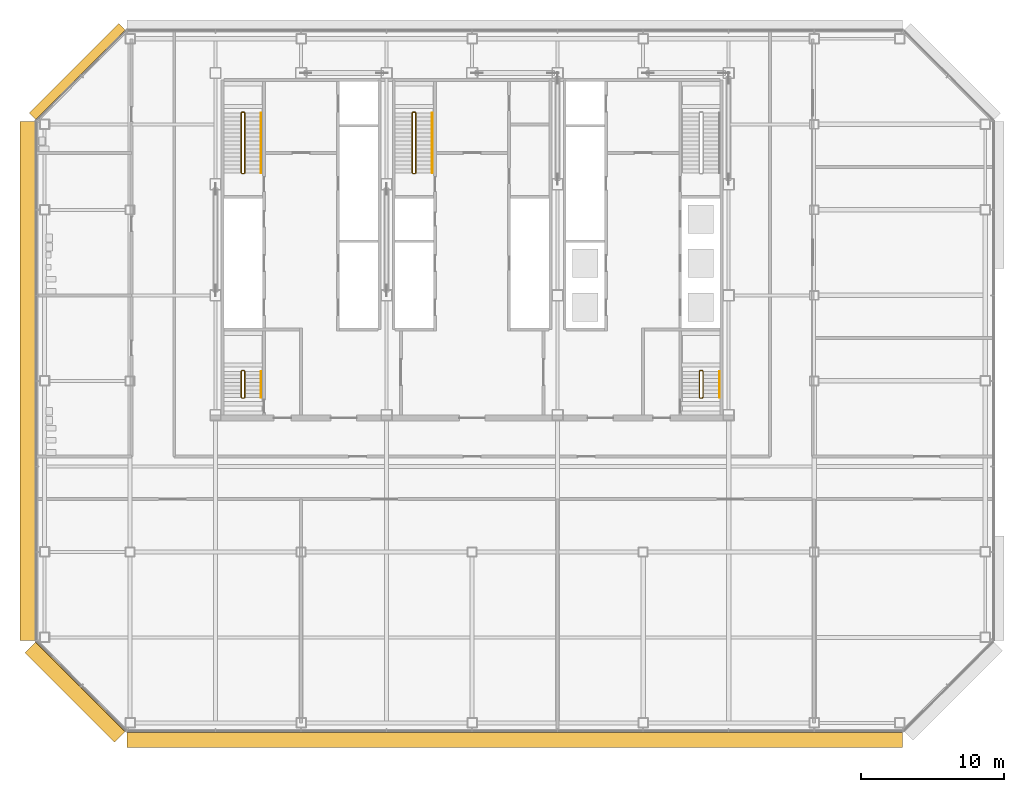
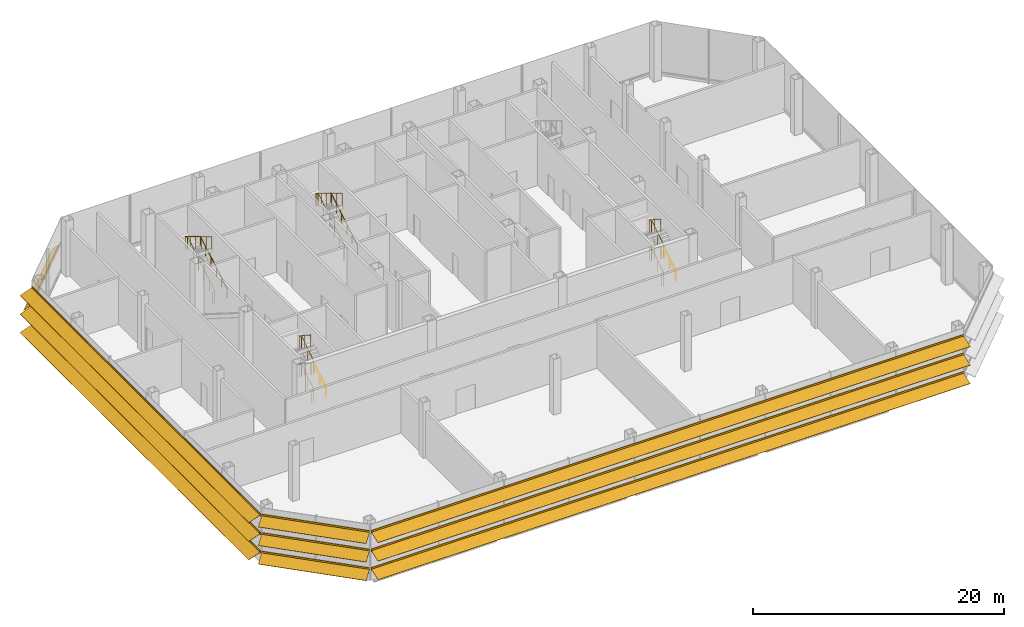
# One storey, part 21 of 24: 10 railings, 4 shading devices.
"""IFC4 building model written with IfcOpenShell, lengths in metres."""

from ifc_helpers import new_model, si_unit, direction, frame, origin, origin_2d, place, context, subcontext, project, spatial, polyline, circle, outline, composite_profile, extrude, material, type_object, element, save


model = new_model("IFC4")

# Units and contexts
model_context = context("Model", 3, precision=1e-05, world=origin(), true_north=direction((0.0, 1.0)))
body_context = subcontext(model_context, "Body", "Model", "MODEL_VIEW")
ifc_project = project(units=[si_unit("LENGTHUNIT", "METRE"), si_unit("AREAUNIT", "SQUARE_METRE"), si_unit("VOLUMEUNIT", "CUBIC_METRE"), si_unit("PLANEANGLEUNIT", "RADIAN"), si_unit("MASSUNIT", "GRAM", prefix="KILO")], contexts=[model_context])

# Site, building, storey
site_placement = place(None, origin())
site = spatial("IfcSite", under=ifc_project, at=site_placement, CompositionType="ELEMENT")
building_placement = place(site_placement, origin())
building = spatial("IfcBuilding", under=site, at=building_placement, Name="Sorahane Residences", CompositionType="ELEMENT")
storey_placement = place(building_placement, frame((0.0, 0.0, 161.800048828125)))
storey = spatial("IfcBuildingStorey", under=building, at=storey_placement, Name="L37", CompositionType="ELEMENT", Elevation=161.800048828125)

# Shading devices
ifc_material_1 = material(Name="Terracotta anodised aluminium", Category="masonry")
shading_device_type_1 = type_object("IfcShadingDeviceType", Name="Louvre sunshade blade NW terracotta aluminium 700", PredefinedType="JALOUSIE", material=ifc_material_1)
shading_device_1_placement = place(storey_placement, frame((-0.283935546875, 48.564697265625, 2.699951171875), z_axis=(-0.707106781187, -0.707106781187, 0.0), x_axis=(0.707106781187, -0.707106781187, 0.0)))
element("IfcShadingDevice", 1, at=shading_device_1_placement, inside=storey, type_object=shading_device_type_1, Name="Louvre sunshade blade bank NW L37 NW1", PredefinedType="JALOUSIE", context=body_context, shape_type="SweptSolid", body=[
    extrude(outline(polyline([(-0.719970703125, -0.660888671875), (-0.719970703125, -0.69091796875), (-0.080078125, -0.072998046875), (-0.080078125, -0.14990234375), (-0.02001953125, -0.14990234375), (-0.02001953125, -0.014892578125), (-0.02001953125, 0.014892578125), (-0.02001953125, 0.14990234375), (-0.080078125, 0.14990234375), (-0.080078125, -0.04296875), (-0.719970703125, -0.660888671875)])), origin(), (0.0, 0.0, 1.0), 8.88232421875),
])
ifc_material_2 = material(Name="Terracotta anodised aluminium", Category="masonry")
shading_device_type_2 = type_object("IfcShadingDeviceType", Name="Louvre sunshade blade S terracotta aluminium 1100", PredefinedType="JALOUSIE", material=ifc_material_2)
shading_device_2_placement = place(storey_placement, frame((-0.198486328125, -0.60009765625, 0.89990234375), z_axis=(1.0, 0.0, 0.0), x_axis=(0.0, 1.0, 0.0)))
element("IfcShadingDevice", 2, at=shading_device_2_placement, inside=storey, type_object=shading_device_type_2, Name="Louvre sunshade blade bank S L37 S1", PredefinedType="JALOUSIE", context=body_context, shape_type="SweptSolid", body=[
    extrude(composite_profile([outline(polyline([(-1.1201171875, -0.385498046875), (-1.1201171875, -0.415283203125), (-0.080078125, -0.036865234375), (-0.080078125, -0.14990234375), (-0.02001953125, -0.14990234375), (-0.02001953125, -0.014892578125), (-0.02001953125, 0.014892578125), (-0.02001953125, 0.14990234375), (-0.080078125, 0.14990234375), (-0.080078125, -0.0068359375), (-1.1201171875, -0.385498046875)])), outline(polyline([(-1.1201171875, 1.41455078125), (-1.1201171875, 1.384521484375), (-0.080078125, 1.76318359375), (-0.080078125, 1.64990234375), (-0.02001953125, 1.64990234375), (-0.02001953125, 1.784912109375), (-0.02001953125, 1.81494140625), (-0.02001953125, 1.949951171875), (-0.080078125, 1.949951171875), (-0.080078125, 1.793212890625), (-1.1201171875, 1.41455078125)])), outline(polyline([(-1.1201171875, 3.214599609375), (-1.1201171875, 3.1845703125), (-0.080078125, 3.563232421875), (-0.080078125, 3.449951171875), (-0.02001953125, 3.449951171875), (-0.02001953125, 3.5849609375), (-0.02001953125, 3.614990234375), (-0.02001953125, 3.75), (-0.080078125, 3.75), (-0.080078125, 3.59326171875), (-1.1201171875, 3.214599609375)]))]), origin(), (0.0, 0.0, 1.0), 54.39697265625),
])
ifc_material_3 = material(Name="Terracotta anodised aluminium", Category="masonry")
shading_device_type_3 = type_object("IfcShadingDeviceType", Name="Louvre sunshade blade SW terracotta aluminium 1100", PredefinedType="JALOUSIE", material=ifc_material_3)
shading_device_3_placement = place(storey_placement, frame((-6.564697265625, 5.716064453125, 0.89990234375), z_axis=(0.707106781187, -0.707106781187, 0.0), x_axis=(0.707106781187, 0.707106781187, 0.0)))
element("IfcShadingDevice", 3, at=shading_device_3_placement, inside=storey, type_object=shading_device_type_3, Name="Louvre sunshade blade bank SW L37 SW1", PredefinedType="JALOUSIE", context=body_context, shape_type="SweptSolid", body=[
    extrude(composite_profile([outline(polyline([(-1.1201171875, -0.385498046875), (-1.1201171875, -0.415283203125), (-0.080078125, -0.036865234375), (-0.080078125, -0.14990234375), (-0.02001953125, -0.14990234375), (-0.02001953125, -0.014892578125), (-0.02001953125, 0.014892578125), (-0.02001953125, 0.14990234375), (-0.080078125, 0.14990234375), (-0.080078125, -0.0068359375), (-1.1201171875, -0.385498046875)])), outline(polyline([(-1.1201171875, 1.41455078125), (-1.1201171875, 1.384521484375), (-0.080078125, 1.76318359375), (-0.080078125, 1.64990234375), (-0.02001953125, 1.64990234375), (-0.02001953125, 1.784912109375), (-0.02001953125, 1.81494140625), (-0.02001953125, 1.949951171875), (-0.080078125, 1.949951171875), (-0.080078125, 1.793212890625), (-1.1201171875, 1.41455078125)])), outline(polyline([(-1.1201171875, 3.214599609375), (-1.1201171875, 3.1845703125), (-0.080078125, 3.563232421875), (-0.080078125, 3.449951171875), (-0.02001953125, 3.449951171875), (-0.02001953125, 3.5849609375), (-0.02001953125, 3.614990234375), (-0.02001953125, 3.75), (-0.080078125, 3.75), (-0.080078125, 3.59326171875), (-1.1201171875, 3.214599609375)]))]), origin(), (0.0, 0.0, 1.0), 8.88232421875),
])
ifc_material_4 = material(Name="Terracotta anodised aluminium", Category="masonry")
shading_device_type_4 = type_object("IfcShadingDeviceType", Name="Louvre sunshade blade W terracotta aluminium 1100", PredefinedType="JALOUSIE", material=ifc_material_4)
shading_device_4_placement = place(storey_placement, frame((-6.60009765625, 42.198486328125, 0.89990234375), z_axis=(0.0, -1.0, 0.0), x_axis=(1.0, 0.0, 0.0)))
element("IfcShadingDevice", 4, at=shading_device_4_placement, inside=storey, type_object=shading_device_type_4, Name="Louvre sunshade blade bank W L37 W1", PredefinedType="JALOUSIE", context=body_context, shape_type="SweptSolid", body=[
    extrude(composite_profile([outline(polyline([(-1.1201171875, -0.385498046875), (-1.1201171875, -0.415283203125), (-0.080078125, -0.036865234375), (-0.080078125, -0.14990234375), (-0.02001953125, -0.14990234375), (-0.02001953125, -0.014892578125), (-0.02001953125, 0.014892578125), (-0.02001953125, 0.14990234375), (-0.080078125, 0.14990234375), (-0.080078125, -0.0068359375), (-1.1201171875, -0.385498046875)])), outline(polyline([(-1.1201171875, 1.41455078125), (-1.1201171875, 1.384521484375), (-0.080078125, 1.76318359375), (-0.080078125, 1.64990234375), (-0.02001953125, 1.64990234375), (-0.02001953125, 1.784912109375), (-0.02001953125, 1.81494140625), (-0.02001953125, 1.949951171875), (-0.080078125, 1.949951171875), (-0.080078125, 1.793212890625), (-1.1201171875, 1.41455078125)])), outline(polyline([(-1.1201171875, 3.214599609375), (-1.1201171875, 3.1845703125), (-0.080078125, 3.563232421875), (-0.080078125, 3.449951171875), (-0.02001953125, 3.449951171875), (-0.02001953125, 3.5849609375), (-0.02001953125, 3.614990234375), (-0.02001953125, 3.75), (-0.080078125, 3.75), (-0.080078125, 3.59326171875), (-1.1201171875, 3.214599609375)]))]), origin(), (0.0, 0.0, 1.0), 36.39697265625),
])

# Railings
ifc_material_5 = material(Name="Steel Q355B", Category="steel")
railing_type_1 = type_object("IfcRailingType", Name="Stair guard 1200 Steel Q355B", PredefinedType="GUARDRAIL", material=ifc_material_5)
railing_1_placement = place(storey_placement, frame((7.85009765625, 38.550048828125, 0.0)))
element("IfcRailing", 5, at=railing_1_placement, inside=storey, type_object=railing_type_1, Name="L37 S1 stair guard 1", PredefinedType="GUARDRAIL", context=body_context, shape_type="SweptSolid", body=[
    extrude(circle(Radius=0.02392578125, at=origin_2d()), frame((0.0, 0.0, 1.17578125), z_axis=(1.0, 0.0, 0.0), x_axis=(0.0, 1.0, 0.0)), (0.0, 0.0, 1.0), 0.14990234375),
    extrude(circle(Radius=0.02392578125, at=origin_2d()), frame((0.14990234375, 0.0, 1.17578125), z_axis=(0.273569069059, 0.273569069059, 0.922127935218), x_axis=(-0.707106781187, 0.707106781187, 0.0)), (0.0, 0.0, 1.0), 0.182861328125),
    extrude(circle(Radius=0.02392578125, at=origin_2d()), frame((0.199951171875, 0.050048828125, 1.3447265625), z_axis=(0.0, 0.856476492594, 0.516186030065), x_axis=(-1.0, 0.0, 0.0)), (0.0, 0.0, 1.0), 4.90380859375),
    extrude(circle(Radius=0.02392578125, at=origin_2d()), frame((0.199951171875, 4.25, 3.8759765625), z_axis=(-0.707106781187, 0.707106781187, 0.0), x_axis=(-0.707106781187, -0.707106781187, 0.0)), (0.0, 0.0, 1.0), 0.07080078125),
    extrude(circle(Radius=0.02392578125, at=origin_2d()), frame((0.14990234375, 4.300048828125, 3.8759765625), z_axis=(-1.0, 0.0, 0.0), x_axis=(0.0, -1.0, 0.0)), (0.0, 0.0, 1.0), 0.14990234375),
    extrude(circle(Radius=0.02392578125, at=origin_2d()), frame((0.0, 4.300048828125, 3.8759765625), z_axis=(-0.273569069059, -0.273569069059, 0.922127935218), x_axis=(0.707106781187, -0.707106781187, 0.0)), (0.0, 0.0, 1.0), 0.182861328125),
    extrude(circle(Radius=0.02392578125, at=origin_2d()), frame((-0.050048828125, 4.25, 4.04443359375), z_axis=(0.0, -0.856476492594, 0.516186030065), x_axis=(1.0, 0.0, 0.0)), (0.0, 0.0, 1.0), 4.90380859375),
    extrude(circle(Radius=0.02099609375, at=origin_2d()), origin(), (0.0, 0.0, 1.0), 1.15185546875),
    extrude(circle(Radius=0.02099609375, at=origin_2d()), frame((0.14990234375, 0.0, 0.0)), (0.0, 0.0, 1.0), 1.15185546875),
    extrude(circle(Radius=0.02099609375, at=origin_2d()), frame((0.199951171875, 0.050048828125, 0.168701171875)), (0.0, 0.0, 1.0), 1.15185546875),
    extrude(circle(Radius=0.02099609375, at=origin_2d()), frame((0.199951171875, 0.89013671875, 0.675048828125)), (0.0, 0.0, 1.0), 1.15185546875),
    extrude(circle(Radius=0.02099609375, at=origin_2d()), frame((0.199951171875, 1.72998046875, 1.18115234375)), (0.0, 0.0, 1.0), 1.15185546875),
    extrude(circle(Radius=0.02099609375, at=origin_2d()), frame((0.199951171875, 2.570068359375, 1.6875)), (0.0, 0.0, 1.0), 1.15185546875),
    extrude(circle(Radius=0.02099609375, at=origin_2d()), frame((0.199951171875, 3.409912109375, 2.193603515625)), (0.0, 0.0, 1.0), 1.15185546875),
    extrude(circle(Radius=0.02099609375, at=origin_2d()), frame((0.199951171875, 4.25, 2.699951171875)), (0.0, 0.0, 1.0), 1.15185546875),
    extrude(circle(Radius=0.02099609375, at=origin_2d()), frame((0.14990234375, 4.300048828125, 2.699951171875)), (0.0, 0.0, 1.0), 1.15185546875),
    extrude(circle(Radius=0.02099609375, at=origin_2d()), frame((0.0, 4.300048828125, 2.699951171875)), (0.0, 0.0, 1.0), 1.15185546875),
    extrude(circle(Radius=0.02099609375, at=origin_2d()), frame((-0.050048828125, 4.25, 2.86865234375)), (0.0, 0.0, 1.0), 1.15185546875),
    extrude(circle(Radius=0.02099609375, at=origin_2d()), frame((-0.050048828125, 3.409912109375, 3.375)), (0.0, 0.0, 1.0), 1.15185546875),
    extrude(circle(Radius=0.02099609375, at=origin_2d()), frame((-0.050048828125, 2.570068359375, 3.881103515625)), (0.0, 0.0, 1.0), 1.15185546875),
    extrude(circle(Radius=0.02099609375, at=origin_2d()), frame((-0.050048828125, 1.72998046875, 4.387451171875)), (0.0, 0.0, 1.0), 1.15185546875),
    extrude(circle(Radius=0.02099609375, at=origin_2d()), frame((-0.050048828125, 0.89013671875, 4.8935546875)), (0.0, 0.0, 1.0), 1.15185546875),
    extrude(circle(Radius=0.02099609375, at=origin_2d()), frame((-0.050048828125, 0.050048828125, 5.39990234375)), (0.0, 0.0, 1.0), 1.15185546875),
])
railing_2_placement = place(storey_placement, frame((19.85009765625, 38.550048828125, 0.0)))
element("IfcRailing", 6, at=railing_2_placement, inside=storey, type_object=railing_type_1, Name="L37 S3 stair guard 1", PredefinedType="GUARDRAIL", context=body_context, shape_type="SweptSolid", body=[
    extrude(circle(Radius=0.02392578125, at=origin_2d()), frame((0.0, 0.0, 1.17578125), z_axis=(1.0, 0.0, 0.0), x_axis=(0.0, 1.0, 0.0)), (0.0, 0.0, 1.0), 0.14990234375),
    extrude(circle(Radius=0.02392578125, at=origin_2d()), frame((0.14990234375, 0.0, 1.17578125), z_axis=(0.273569069059, 0.273569069059, 0.922127935218), x_axis=(-0.707106781187, 0.707106781187, 0.0)), (0.0, 0.0, 1.0), 0.182861328125),
    extrude(circle(Radius=0.02392578125, at=origin_2d()), frame((0.199951171875, 0.050048828125, 1.3447265625), z_axis=(0.0, 0.856476492594, 0.516186030065), x_axis=(-1.0, 0.0, 0.0)), (0.0, 0.0, 1.0), 4.90380859375),
    extrude(circle(Radius=0.02392578125, at=origin_2d()), frame((0.199951171875, 4.25, 3.8759765625), z_axis=(-0.707106781187, 0.707106781187, 0.0), x_axis=(-0.707106781187, -0.707106781187, 0.0)), (0.0, 0.0, 1.0), 0.07080078125),
    extrude(circle(Radius=0.02392578125, at=origin_2d()), frame((0.14990234375, 4.300048828125, 3.8759765625), z_axis=(-1.0, 0.0, 0.0), x_axis=(0.0, -1.0, 0.0)), (0.0, 0.0, 1.0), 0.14990234375),
    extrude(circle(Radius=0.02392578125, at=origin_2d()), frame((0.0, 4.300048828125, 3.8759765625), z_axis=(-0.273569069059, -0.273569069059, 0.922127935218), x_axis=(0.707106781187, -0.707106781187, 0.0)), (0.0, 0.0, 1.0), 0.182861328125),
    extrude(circle(Radius=0.02392578125, at=origin_2d()), frame((-0.050048828125, 4.25, 4.04443359375), z_axis=(0.0, -0.856476492594, 0.516186030065), x_axis=(1.0, 0.0, 0.0)), (0.0, 0.0, 1.0), 4.90380859375),
    extrude(circle(Radius=0.02099609375, at=origin_2d()), origin(), (0.0, 0.0, 1.0), 1.15185546875),
    extrude(circle(Radius=0.02099609375, at=origin_2d()), frame((0.14990234375, 0.0, 0.0)), (0.0, 0.0, 1.0), 1.15185546875),
    extrude(circle(Radius=0.02099609375, at=origin_2d()), frame((0.199951171875, 0.050048828125, 0.168701171875)), (0.0, 0.0, 1.0), 1.15185546875),
    extrude(circle(Radius=0.02099609375, at=origin_2d()), frame((0.199951171875, 0.89013671875, 0.675048828125)), (0.0, 0.0, 1.0), 1.15185546875),
    extrude(circle(Radius=0.02099609375, at=origin_2d()), frame((0.199951171875, 1.72998046875, 1.18115234375)), (0.0, 0.0, 1.0), 1.15185546875),
    extrude(circle(Radius=0.02099609375, at=origin_2d()), frame((0.199951171875, 2.570068359375, 1.6875)), (0.0, 0.0, 1.0), 1.15185546875),
    extrude(circle(Radius=0.02099609375, at=origin_2d()), frame((0.199951171875, 3.409912109375, 2.193603515625)), (0.0, 0.0, 1.0), 1.15185546875),
    extrude(circle(Radius=0.02099609375, at=origin_2d()), frame((0.199951171875, 4.25, 2.699951171875)), (0.0, 0.0, 1.0), 1.15185546875),
    extrude(circle(Radius=0.02099609375, at=origin_2d()), frame((0.14990234375, 4.300048828125, 2.699951171875)), (0.0, 0.0, 1.0), 1.15185546875),
    extrude(circle(Radius=0.02099609375, at=origin_2d()), frame((0.0, 4.300048828125, 2.699951171875)), (0.0, 0.0, 1.0), 1.15185546875),
    extrude(circle(Radius=0.02099609375, at=origin_2d()), frame((-0.050048828125, 4.25, 2.86865234375)), (0.0, 0.0, 1.0), 1.15185546875),
    extrude(circle(Radius=0.02099609375, at=origin_2d()), frame((-0.050048828125, 3.409912109375, 3.375)), (0.0, 0.0, 1.0), 1.15185546875),
    extrude(circle(Radius=0.02099609375, at=origin_2d()), frame((-0.050048828125, 2.570068359375, 3.881103515625)), (0.0, 0.0, 1.0), 1.15185546875),
    extrude(circle(Radius=0.02099609375, at=origin_2d()), frame((-0.050048828125, 1.72998046875, 4.387451171875)), (0.0, 0.0, 1.0), 1.15185546875),
    extrude(circle(Radius=0.02099609375, at=origin_2d()), frame((-0.050048828125, 0.89013671875, 4.8935546875)), (0.0, 0.0, 1.0), 1.15185546875),
    extrude(circle(Radius=0.02099609375, at=origin_2d()), frame((-0.050048828125, 0.050048828125, 5.39990234375)), (0.0, 0.0, 1.0), 1.15185546875),
])
railing_3_placement = place(storey_placement, frame((7.85009765625, 22.800048828125, 0.0)))
element("IfcRailing", 7, at=railing_3_placement, inside=storey, type_object=railing_type_1, Name="L37 S4 stair guard 1", PredefinedType="GUARDRAIL", context=body_context, shape_type="SweptSolid", body=[
    extrude(circle(Radius=0.02392578125, at=origin_2d()), frame((0.0, 0.0, 1.17578125), z_axis=(1.0, 0.0, 0.0), x_axis=(0.0, 1.0, 0.0)), (0.0, 0.0, 1.0), 0.14990234375),
    extrude(circle(Radius=0.02392578125, at=origin_2d()), frame((0.14990234375, 0.0, 1.17578125), z_axis=(0.273569069059, 0.273569069059, 0.922127935218), x_axis=(-0.707106781187, 0.707106781187, 0.0)), (0.0, 0.0, 1.0), 0.182861328125),
    extrude(circle(Radius=0.02392578125, at=origin_2d()), frame((0.199951171875, 0.050048828125, 1.3447265625), z_axis=(0.0, 0.838808512231, 0.544426560528), x_axis=(-1.0, 0.0, 0.0)), (0.0, 0.0, 1.0), 2.16943359375),
    extrude(circle(Radius=0.02392578125, at=origin_2d()), frame((0.199951171875, 1.869873046875, 2.52587890625), z_axis=(-0.707106781187, 0.707106781187, 0.0), x_axis=(-0.707106781187, -0.707106781187, 0.0)), (0.0, 0.0, 1.0), 0.07080078125),
    extrude(circle(Radius=0.02392578125, at=origin_2d()), frame((0.14990234375, 1.919921875, 2.52587890625), z_axis=(-1.0, 0.0, 0.0), x_axis=(0.0, -1.0, 0.0)), (0.0, 0.0, 1.0), 0.14990234375),
    extrude(circle(Radius=0.02392578125, at=origin_2d()), frame((0.0, 1.919921875, 2.52587890625), z_axis=(-0.273232802156, -0.273232802156, 0.922327312645), x_axis=(0.707106781187, -0.707106781187, 0.0)), (0.0, 0.0, 1.0), 0.18310546875),
    extrude(circle(Radius=0.02392578125, at=origin_2d()), frame((-0.050048828125, 1.869873046875, 2.69482421875), z_axis=(0.0, -0.838808512231, 0.544426560528), x_axis=(1.0, 0.0, 0.0)), (0.0, 0.0, 1.0), 2.16943359375),
    extrude(circle(Radius=0.02099609375, at=origin_2d()), origin(), (0.0, 0.0, 1.0), 1.15185546875),
    extrude(circle(Radius=0.02099609375, at=origin_2d()), frame((0.14990234375, 0.0, 0.0)), (0.0, 0.0, 1.0), 1.15185546875),
    extrude(circle(Radius=0.02099609375, at=origin_2d()), frame((0.199951171875, 0.050048828125, 0.168701171875)), (0.0, 0.0, 1.0), 1.15185546875),
    extrude(circle(Radius=0.02099609375, at=origin_2d()), frame((0.199951171875, 0.9599609375, 0.75927734375)), (0.0, 0.0, 1.0), 1.15185546875),
    extrude(circle(Radius=0.02099609375, at=origin_2d()), frame((0.199951171875, 1.869873046875, 1.349853515625)), (0.0, 0.0, 1.0), 1.15185546875),
    extrude(circle(Radius=0.02099609375, at=origin_2d()), frame((0.14990234375, 1.919921875, 1.349853515625)), (0.0, 0.0, 1.0), 1.15185546875),
    extrude(circle(Radius=0.02099609375, at=origin_2d()), frame((0.0, 1.919921875, 1.349853515625)), (0.0, 0.0, 1.0), 1.15185546875),
    extrude(circle(Radius=0.02099609375, at=origin_2d()), frame((-0.050048828125, 1.869873046875, 1.518798828125)), (0.0, 0.0, 1.0), 1.15185546875),
    extrude(circle(Radius=0.02099609375, at=origin_2d()), frame((-0.050048828125, 0.9599609375, 2.109375)), (0.0, 0.0, 1.0), 1.15185546875),
    extrude(circle(Radius=0.02099609375, at=origin_2d()), frame((-0.050048828125, 0.050048828125, 2.699951171875)), (0.0, 0.0, 1.0), 1.15185546875),
])
railing_4_placement = place(storey_placement, frame((7.85009765625, 22.800048828125, 2.699951171875)))
element("IfcRailing", 8, at=railing_4_placement, inside=storey, type_object=railing_type_1, Name="L37 S4 stair guard 2", PredefinedType="GUARDRAIL", context=body_context, shape_type="SweptSolid", body=[
    extrude(circle(Radius=0.02392578125, at=origin_2d()), frame((0.0, 0.0, 1.17578125), z_axis=(1.0, 0.0, 0.0), x_axis=(0.0, 1.0, 0.0)), (0.0, 0.0, 1.0), 0.14990234375),
    extrude(circle(Radius=0.02392578125, at=origin_2d()), frame((0.14990234375, 0.0, 1.17578125), z_axis=(0.273569069059, 0.273569069059, 0.922127935218), x_axis=(-0.707106781187, 0.707106781187, 0.0)), (0.0, 0.0, 1.0), 0.182861328125),
    extrude(circle(Radius=0.02392578125, at=origin_2d()), frame((0.199951171875, 0.050048828125, 1.3447265625), z_axis=(0.0, 0.838757122003, 0.544505730262), x_axis=(-1.0, 0.0, 0.0)), (0.0, 0.0, 1.0), 2.169677734375),
    extrude(circle(Radius=0.02392578125, at=origin_2d()), frame((0.199951171875, 1.869873046875, 2.52587890625), z_axis=(-0.707106781187, 0.707106781187, 0.0), x_axis=(-0.707106781187, -0.707106781187, 0.0)), (0.0, 0.0, 1.0), 0.07080078125),
    extrude(circle(Radius=0.02392578125, at=origin_2d()), frame((0.14990234375, 1.919921875, 2.52587890625), z_axis=(-1.0, 0.0, 0.0), x_axis=(0.0, -1.0, 0.0)), (0.0, 0.0, 1.0), 0.14990234375),
    extrude(circle(Radius=0.02392578125, at=origin_2d()), frame((0.0, 1.919921875, 2.52587890625), z_axis=(-0.273569069059, -0.273569069059, 0.922127935218), x_axis=(0.707106781187, -0.707106781187, 0.0)), (0.0, 0.0, 1.0), 0.182861328125),
    extrude(circle(Radius=0.02392578125, at=origin_2d()), frame((-0.050048828125, 1.869873046875, 2.69482421875), z_axis=(0.0, -0.838808512231, 0.544426560528), x_axis=(1.0, 0.0, 0.0)), (0.0, 0.0, 1.0), 2.16943359375),
    extrude(circle(Radius=0.02099609375, at=origin_2d()), origin(), (0.0, 0.0, 1.0), 1.15185546875),
    extrude(circle(Radius=0.02099609375, at=origin_2d()), frame((0.14990234375, 0.0, 0.0)), (0.0, 0.0, 1.0), 1.15185546875),
    extrude(circle(Radius=0.02099609375, at=origin_2d()), frame((0.199951171875, 0.050048828125, 0.168701171875)), (0.0, 0.0, 1.0), 1.15185546875),
    extrude(circle(Radius=0.02099609375, at=origin_2d()), frame((0.199951171875, 0.9599609375, 0.75927734375)), (0.0, 0.0, 1.0), 1.15185546875),
    extrude(circle(Radius=0.02099609375, at=origin_2d()), frame((0.199951171875, 1.869873046875, 1.35009765625)), (0.0, 0.0, 1.0), 1.15185546875),
    extrude(circle(Radius=0.02099609375, at=origin_2d()), frame((0.14990234375, 1.919921875, 1.35009765625)), (0.0, 0.0, 1.0), 1.15185546875),
    extrude(circle(Radius=0.02099609375, at=origin_2d()), frame((0.0, 1.919921875, 1.35009765625)), (0.0, 0.0, 1.0), 1.15185546875),
    extrude(circle(Radius=0.02099609375, at=origin_2d()), frame((-0.050048828125, 1.869873046875, 1.518798828125)), (0.0, 0.0, 1.0), 1.15185546875),
    extrude(circle(Radius=0.02099609375, at=origin_2d()), frame((-0.050048828125, 0.9599609375, 2.109375)), (0.0, 0.0, 1.0), 1.15185546875),
    extrude(circle(Radius=0.02099609375, at=origin_2d()), frame((-0.050048828125, 0.050048828125, 2.699951171875)), (0.0, 0.0, 1.0), 1.15185546875),
])
railing_5_placement = place(storey_placement, frame((40.0, 22.800048828125, 0.0)))
element("IfcRailing", 9, at=railing_5_placement, inside=storey, type_object=railing_type_1, Name="L37 S5 stair guard 1", PredefinedType="GUARDRAIL", context=body_context, shape_type="SweptSolid", body=[
    extrude(circle(Radius=0.02392578125, at=origin_2d()), frame((0.0, 0.0, 1.17578125), z_axis=(1.0, 0.0, 0.0), x_axis=(0.0, 1.0, 0.0)), (0.0, 0.0, 1.0), 0.14990234375),
    extrude(circle(Radius=0.02392578125, at=origin_2d()), frame((0.14990234375, 0.0, 1.17578125), z_axis=(0.273569069059, 0.273569069059, 0.922127935218), x_axis=(-0.707106781187, 0.707106781187, 0.0)), (0.0, 0.0, 1.0), 0.182861328125),
    extrude(circle(Radius=0.02392578125, at=origin_2d()), frame((0.199951171875, 0.050048828125, 1.3447265625), z_axis=(0.0, 0.838808512231, 0.544426560528), x_axis=(-1.0, 0.0, 0.0)), (0.0, 0.0, 1.0), 2.16943359375),
    extrude(circle(Radius=0.02392578125, at=origin_2d()), frame((0.199951171875, 1.869873046875, 2.52587890625), z_axis=(-0.707106781187, 0.707106781187, 0.0), x_axis=(-0.707106781187, -0.707106781187, 0.0)), (0.0, 0.0, 1.0), 0.07080078125),
    extrude(circle(Radius=0.02392578125, at=origin_2d()), frame((0.14990234375, 1.919921875, 2.52587890625), z_axis=(-1.0, 0.0, 0.0), x_axis=(0.0, -1.0, 0.0)), (0.0, 0.0, 1.0), 0.14990234375),
    extrude(circle(Radius=0.02392578125, at=origin_2d()), frame((0.0, 1.919921875, 2.52587890625), z_axis=(-0.273232802156, -0.273232802156, 0.922327312645), x_axis=(0.707106781187, -0.707106781187, 0.0)), (0.0, 0.0, 1.0), 0.18310546875),
    extrude(circle(Radius=0.02392578125, at=origin_2d()), frame((-0.050048828125, 1.869873046875, 2.69482421875), z_axis=(0.0, -0.838808512231, 0.544426560528), x_axis=(1.0, 0.0, 0.0)), (0.0, 0.0, 1.0), 2.16943359375),
    extrude(circle(Radius=0.02099609375, at=origin_2d()), origin(), (0.0, 0.0, 1.0), 1.15185546875),
    extrude(circle(Radius=0.02099609375, at=origin_2d()), frame((0.14990234375, 0.0, 0.0)), (0.0, 0.0, 1.0), 1.15185546875),
    extrude(circle(Radius=0.02099609375, at=origin_2d()), frame((0.199951171875, 0.050048828125, 0.168701171875)), (0.0, 0.0, 1.0), 1.15185546875),
    extrude(circle(Radius=0.02099609375, at=origin_2d()), frame((0.199951171875, 0.9599609375, 0.75927734375)), (0.0, 0.0, 1.0), 1.15185546875),
    extrude(circle(Radius=0.02099609375, at=origin_2d()), frame((0.199951171875, 1.869873046875, 1.349853515625)), (0.0, 0.0, 1.0), 1.15185546875),
    extrude(circle(Radius=0.02099609375, at=origin_2d()), frame((0.14990234375, 1.919921875, 1.349853515625)), (0.0, 0.0, 1.0), 1.15185546875),
    extrude(circle(Radius=0.02099609375, at=origin_2d()), frame((0.0, 1.919921875, 1.349853515625)), (0.0, 0.0, 1.0), 1.15185546875),
    extrude(circle(Radius=0.02099609375, at=origin_2d()), frame((-0.050048828125, 1.869873046875, 1.518798828125)), (0.0, 0.0, 1.0), 1.15185546875),
    extrude(circle(Radius=0.02099609375, at=origin_2d()), frame((-0.050048828125, 0.9599609375, 2.109375)), (0.0, 0.0, 1.0), 1.15185546875),
    extrude(circle(Radius=0.02099609375, at=origin_2d()), frame((-0.050048828125, 0.050048828125, 2.699951171875)), (0.0, 0.0, 1.0), 1.15185546875),
])
railing_6_placement = place(storey_placement, frame((40.0, 22.800048828125, 2.699951171875)))
element("IfcRailing", 10, at=railing_6_placement, inside=storey, type_object=railing_type_1, Name="L37 S5 stair guard 2", PredefinedType="GUARDRAIL", context=body_context, shape_type="SweptSolid", body=[
    extrude(circle(Radius=0.02392578125, at=origin_2d()), frame((0.0, 0.0, 1.17578125), z_axis=(1.0, 0.0, 0.0), x_axis=(0.0, 1.0, 0.0)), (0.0, 0.0, 1.0), 0.14990234375),
    extrude(circle(Radius=0.02392578125, at=origin_2d()), frame((0.14990234375, 0.0, 1.17578125), z_axis=(0.273569069059, 0.273569069059, 0.922127935218), x_axis=(-0.707106781187, 0.707106781187, 0.0)), (0.0, 0.0, 1.0), 0.182861328125),
    extrude(circle(Radius=0.02392578125, at=origin_2d()), frame((0.199951171875, 0.050048828125, 1.3447265625), z_axis=(0.0, 0.838757122003, 0.544505730262), x_axis=(-1.0, 0.0, 0.0)), (0.0, 0.0, 1.0), 2.169677734375),
    extrude(circle(Radius=0.02392578125, at=origin_2d()), frame((0.199951171875, 1.869873046875, 2.52587890625), z_axis=(-0.707106781187, 0.707106781187, 0.0), x_axis=(-0.707106781187, -0.707106781187, 0.0)), (0.0, 0.0, 1.0), 0.07080078125),
    extrude(circle(Radius=0.02392578125, at=origin_2d()), frame((0.14990234375, 1.919921875, 2.52587890625), z_axis=(-1.0, 0.0, 0.0), x_axis=(0.0, -1.0, 0.0)), (0.0, 0.0, 1.0), 0.14990234375),
    extrude(circle(Radius=0.02392578125, at=origin_2d()), frame((0.0, 1.919921875, 2.52587890625), z_axis=(-0.273569069059, -0.273569069059, 0.922127935218), x_axis=(0.707106781187, -0.707106781187, 0.0)), (0.0, 0.0, 1.0), 0.182861328125),
    extrude(circle(Radius=0.02392578125, at=origin_2d()), frame((-0.050048828125, 1.869873046875, 2.69482421875), z_axis=(0.0, -0.838808512231, 0.544426560528), x_axis=(1.0, 0.0, 0.0)), (0.0, 0.0, 1.0), 2.16943359375),
    extrude(circle(Radius=0.02099609375, at=origin_2d()), origin(), (0.0, 0.0, 1.0), 1.15185546875),
    extrude(circle(Radius=0.02099609375, at=origin_2d()), frame((0.14990234375, 0.0, 0.0)), (0.0, 0.0, 1.0), 1.15185546875),
    extrude(circle(Radius=0.02099609375, at=origin_2d()), frame((0.199951171875, 0.050048828125, 0.168701171875)), (0.0, 0.0, 1.0), 1.15185546875),
    extrude(circle(Radius=0.02099609375, at=origin_2d()), frame((0.199951171875, 0.9599609375, 0.75927734375)), (0.0, 0.0, 1.0), 1.15185546875),
    extrude(circle(Radius=0.02099609375, at=origin_2d()), frame((0.199951171875, 1.869873046875, 1.35009765625)), (0.0, 0.0, 1.0), 1.15185546875),
    extrude(circle(Radius=0.02099609375, at=origin_2d()), frame((0.14990234375, 1.919921875, 1.35009765625)), (0.0, 0.0, 1.0), 1.15185546875),
    extrude(circle(Radius=0.02099609375, at=origin_2d()), frame((0.0, 1.919921875, 1.35009765625)), (0.0, 0.0, 1.0), 1.15185546875),
    extrude(circle(Radius=0.02099609375, at=origin_2d()), frame((-0.050048828125, 1.869873046875, 1.518798828125)), (0.0, 0.0, 1.0), 1.15185546875),
    extrude(circle(Radius=0.02099609375, at=origin_2d()), frame((-0.050048828125, 0.9599609375, 2.109375)), (0.0, 0.0, 1.0), 1.15185546875),
    extrude(circle(Radius=0.02099609375, at=origin_2d()), frame((-0.050048828125, 0.050048828125, 2.699951171875)), (0.0, 0.0, 1.0), 1.15185546875),
])
ifc_material_6 = material(Name="Steel Q355B", Category="steel")
railing_type_2 = type_object("IfcRailingType", Name="Stair handrail 900 Steel Q355B", PredefinedType="HANDRAIL", material=ifc_material_6)
for number, where, name in (
    (11, (9.199951171875, 38.60009765625, 0.168701171875), "L37 S1 stair handrail 1"),
    (12, (21.199951171875, 38.60009765625, 0.168701171875), "L37 S3 stair handrail 1"),
):
    element("IfcRailing", number, at=place(storey_placement, frame(where)), inside=storey, type_object=railing_type_2, Name=name, PredefinedType="HANDRAIL", context=body_context, shape_type="SweptSolid", body=[
        extrude(circle(Radius=0.02392578125, at=origin_2d()), frame((0.0, 0.0, 0.8759765625), z_axis=(0.0, 0.856476492594, 0.516186030065), x_axis=(-1.0, 0.0, 0.0)), (0.0, 0.0, 1.0), 4.90380859375),
        extrude(circle(Radius=0.02099609375, at=origin_2d()), origin(), (0.0, 0.0, 1.0), 0.851806640625),
        extrude(circle(Radius=0.02099609375, at=origin_2d()), frame((0.0, 0.840087890625, 0.50634765625)), (0.0, 0.0, 1.0), 0.851806640625),
        extrude(circle(Radius=0.02099609375, at=origin_2d()), frame((0.0, 1.679931640625, 1.012451171875)), (0.0, 0.0, 1.0), 0.851806640625),
        extrude(circle(Radius=0.02099609375, at=origin_2d()), frame((0.0, 2.52001953125, 1.518798828125)), (0.0, 0.0, 1.0), 0.851806640625),
        extrude(circle(Radius=0.02099609375, at=origin_2d()), frame((0.0, 3.35986328125, 2.02490234375)), (0.0, 0.0, 1.0), 0.851806640625),
        extrude(circle(Radius=0.02099609375, at=origin_2d()), frame((0.0, 4.199951171875, 2.53125)), (0.0, 0.0, 1.0), 0.851806640625),
    ])
for number, where, name in (
    (13, (9.199951171875, 22.85009765625, 0.168701171875), "L37 S4 stair handrail 1"),
    (14, (41.35009765625, 22.85009765625, 0.168701171875), "L37 S5 stair handrail 1"),
):
    element("IfcRailing", number, at=place(storey_placement, frame(where)), inside=storey, type_object=railing_type_2, Name=name, PredefinedType="HANDRAIL", context=body_context, shape_type="SweptSolid", body=[
        extrude(circle(Radius=0.02392578125, at=origin_2d()), frame((0.0, 0.0, 0.8759765625), z_axis=(0.0, 0.838808512231, 0.544426560528), x_axis=(-1.0, 0.0, 0.0)), (0.0, 0.0, 1.0), 2.16943359375),
        extrude(circle(Radius=0.02099609375, at=origin_2d()), origin(), (0.0, 0.0, 1.0), 0.851806640625),
        extrude(circle(Radius=0.02099609375, at=origin_2d()), frame((0.0, 0.909912109375, 0.590576171875)), (0.0, 0.0, 1.0), 0.851806640625),
        extrude(circle(Radius=0.02099609375, at=origin_2d()), frame((0.0, 1.81982421875, 1.18115234375)), (0.0, 0.0, 1.0), 0.851806640625),
    ])

save(model, "model.ifc")
